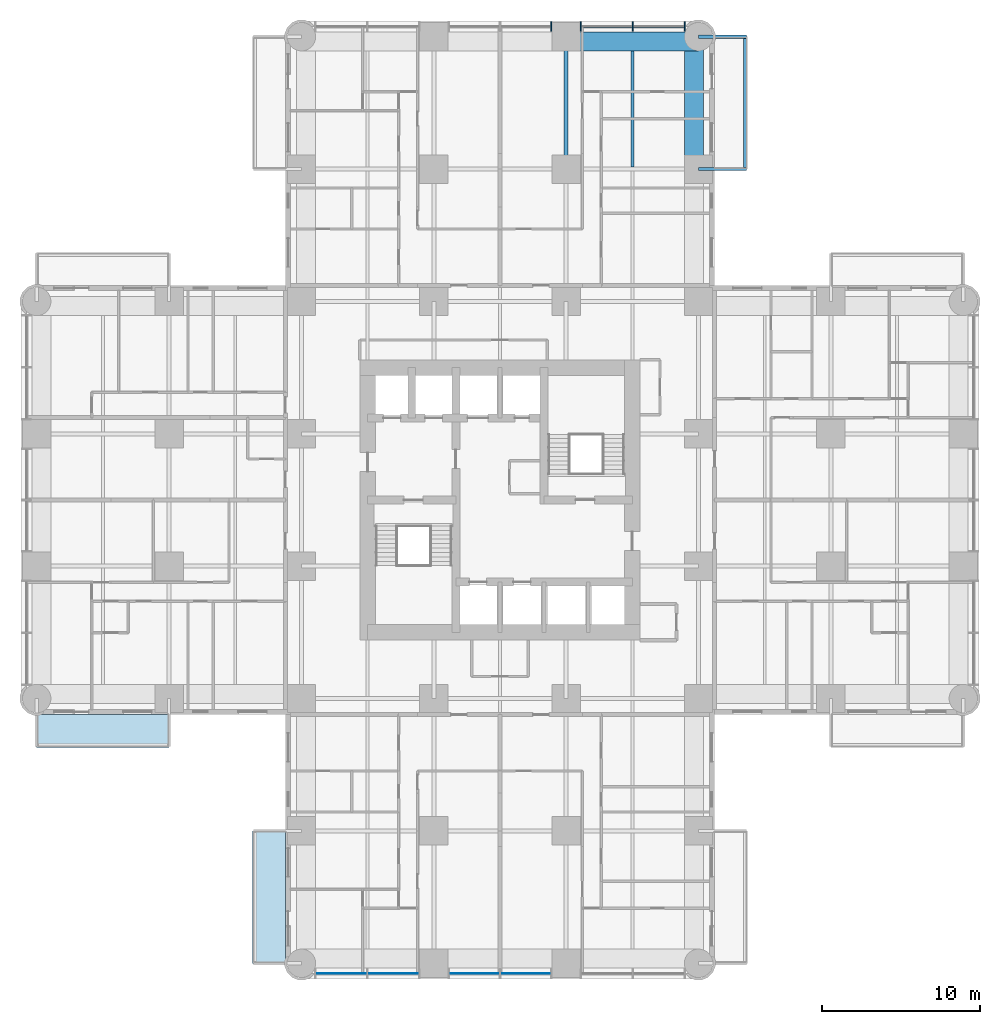
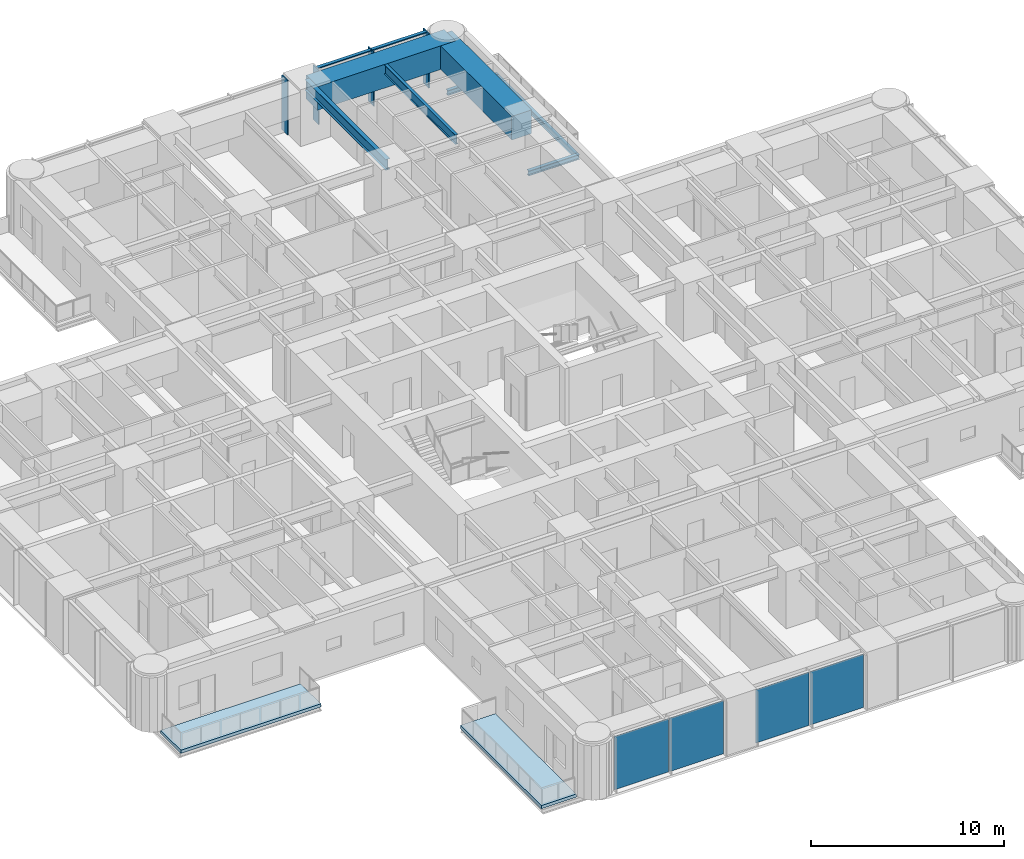
# One storey, part 5 of 17: 7 beams, 6 members, 4 plates, 2 slabs, 2 elements without a shape of their own.
"""IFC4 building model written with IfcOpenShell, lengths in metres."""

import ifcopenshell
import ifcopenshell.guid

model = None  # the IFC model being written
_history = None  # IfcOwnerHistory: only IFC2X3 demands one
_inside = {}  # id of a spatial element -> (the spatial element, [elements in it])
_under = {}  # id of a project, library or spatial element -> (it, [spatial elements below it])
_declared = {}  # id of a project -> (the project, [libraries it declares])
_typed = {}  # id of a type object -> (the type object, [elements of that type])
_made_of = {}  # id of a material, layer set ... -> (it, [elements and type objects made of it])


def new_model(schema):
    """Start an empty IFC model of exactly this schema.

    Asked for "IFC4X3", IfcOpenShell would pick the latest addendum, in which some entities
    have other attributes; the version numbers below select the first issue.
    IFC2X3 requires an IfcOwnerHistory on every rooted entity: one is made here for all.
    """
    global model, _history
    if schema == "IFC4X3":
        model = ifcopenshell.file(schema_version=(4, 3, 0, 0))
    else:
        model = ifcopenshell.file(schema=schema)
    _inside.clear()
    _under.clear()
    _declared.clear()
    _typed.clear()
    _made_of.clear()
    _history = None
    if model.schema == "IFC2X3":
        org = make("IfcOrganization", Name="unknown")
        user = make(
            "IfcPersonAndOrganization",
            ThePerson=make("IfcPerson", FamilyName="unknown"),
            TheOrganization=org,
        )
        app = make(
            "IfcApplication",
            ApplicationDeveloper=org,
            Version="unknown",
            ApplicationFullName="unknown",
            ApplicationIdentifier="unknown",
        )
        _history = make(
            "IfcOwnerHistory",
            OwningUser=user,
            OwningApplication=app,
            ChangeAction="ADDED",
            CreationDate=0,
        )
    return model


def make(cls, **values):
    """One entity of the class cls with the attributes given. An attribute that is None is left unset."""
    return model.create_entity(
        cls, **{name: value for name, value in values.items() if value is not None}
    )


def rooted(cls, **values):
    """An entity with a GlobalId (a new one), such as an element, a storey or a relation."""
    return make(cls, GlobalId=ifcopenshell.guid.new(), OwnerHistory=_history, **values)


def si_unit(unit_type, name, prefix=None):
    """IfcSIUnit, for example si_unit("LENGTHUNIT", "METRE", prefix="MILLI")."""
    return make("IfcSIUnit", UnitType=unit_type, Prefix=prefix, Name=name)


def assignment(units):
    """IfcUnitAssignment: the units of a project."""
    return None if units is None else make("IfcUnitAssignment", Units=units)


def point(xyz):
    """IfcCartesianPoint."""
    return None if xyz is None else make("IfcCartesianPoint", Coordinates=xyz)


def direction(xyz):
    """IfcDirection."""
    return None if xyz is None else make("IfcDirection", DirectionRatios=xyz)


def frame(location, z_axis=None, x_axis=None):
    """IfcAxis2Placement3D, a coordinate frame: its origin and axes. An axis left out is left unset."""
    return make(
        "IfcAxis2Placement3D",
        Location=point(location),
        Axis=direction(z_axis),
        RefDirection=direction(x_axis),
    )


def frame_2d(location, x_axis=None):
    """IfcAxis2Placement2D, a coordinate frame in the plane: its origin and x axis."""
    return make(
        "IfcAxis2Placement2D", Location=point(location), RefDirection=direction(x_axis)
    )


def origin():
    """The frame at (0, 0, 0) with its axes left unset."""
    return frame((0.0, 0.0, 0.0))


def origin_2d():
    """The frame at (0, 0) in the plane with its x axis left unset."""
    return frame_2d((0.0, 0.0))


def place(relative_to, where):
    """IfcLocalPlacement: puts the frame where relative to a parent placement (None: the world)."""
    return make(
        "IfcLocalPlacement", PlacementRelTo=relative_to, RelativePlacement=where
    )


def context(
    kind, dimensions, precision=None, world=None, true_north=None, identifier=None
):
    """IfcGeometricRepresentationContext, for example the 3D "Model" context."""
    return make(
        "IfcGeometricRepresentationContext",
        ContextIdentifier=identifier,
        ContextType=kind,
        CoordinateSpaceDimension=dimensions,
        Precision=precision,
        WorldCoordinateSystem=world,
        TrueNorth=true_north,
    )


def subcontext(parent, identifier, kind, view, scale=None):
    """IfcGeometricRepresentationSubContext, for example "Body" below "Model"."""
    return make(
        "IfcGeometricRepresentationSubContext",
        ContextIdentifier=identifier,
        ContextType=kind,
        ParentContext=parent,
        TargetScale=scale,
        TargetView=view,
    )


def project(units=None, contexts=None):
    """IfcProject with its units and contexts."""
    return rooted(
        "IfcProject",
        Name="project",
        RepresentationContexts=contexts,
        UnitsInContext=assignment(units),
    )


def spatial(cls, under=None, at=None, **own):
    """A site, building, storey or space (cls), placed at a placement, below another one or the project."""
    s = rooted(cls, ObjectPlacement=at, **own)
    if under is not None:
        _under.setdefault(under.id(), (under, []))[1].append(s)
    return s


def polyline(points):
    """IfcPolyline through the points."""
    return make("IfcPolyline", Points=[point(p) for p in points])


def profile(cls, at=None, kind="AREA", **sizes):
    """A parametric profile (cls). Its sizes go by their IFC names, for example OverallWidth=200.0."""
    return make(cls, ProfileType=kind, Position=at, **sizes)


def rectangle(**sizes):
    """IfcRectangleProfileDef."""
    return profile("IfcRectangleProfileDef", **sizes)


def i_section(**sizes):
    """IfcIShapeProfileDef."""
    return profile("IfcIShapeProfileDef", **sizes)


def outline(outer, holes=None, kind="AREA"):
    """IfcArbitraryClosedProfileDef: a profile drawn as a closed curve; with holes, ...WithVoids."""
    if holes is None:
        return make("IfcArbitraryClosedProfileDef", ProfileType=kind, OuterCurve=outer)
    return make(
        "IfcArbitraryProfileDefWithVoids",
        ProfileType=kind,
        OuterCurve=outer,
        InnerCurves=holes,
    )


def extrude(swept, where, along, depth):
    """IfcExtrudedAreaSolid: the profile swept, set in the frame where, extruded along a direction by depth."""
    return make(
        "IfcExtrudedAreaSolid",
        SweptArea=swept,
        Position=where,
        ExtrudedDirection=direction(along),
        Depth=depth,
    )


def shape(context_of_items, identifier, shape_type, items):
    """IfcShapeRepresentation: the items that make up one representation, for example the "Body"."""
    return make(
        "IfcShapeRepresentation",
        ContextOfItems=context_of_items,
        RepresentationIdentifier=identifier,
        RepresentationType=shape_type,
        Items=items,
    )


def material(Name=None, Category=None):
    """IfcMaterial."""
    return make("IfcMaterial", Name=Name, Category=Category)


def layer(
    of_material, thickness, ventilated=None, Name=None, Category=None, Priority=None
):
    """IfcMaterialLayer: one layer of a wall or slab, of a material (None: an air gap)."""
    return make(
        "IfcMaterialLayer",
        Material=of_material,
        LayerThickness=thickness,
        IsVentilated=ventilated,
        Name=Name,
        Category=Category,
        Priority=Priority,
    )


def layer_set(layers, Name=None):
    """IfcMaterialLayerSet."""
    return make("IfcMaterialLayerSet", MaterialLayers=layers, LayerSetName=Name)


def material_profile(
    of_material, cross_section, Name=None, Category=None, Priority=None
):
    """IfcMaterialProfile: a cross section and its material."""
    return make(
        "IfcMaterialProfile",
        Name=Name,
        Material=of_material,
        Profile=cross_section,
        Priority=Priority,
        Category=Category,
    )


def profile_set(profiles, Name=None, composite=None):
    """IfcMaterialProfileSet."""
    return make(
        "IfcMaterialProfileSet",
        Name=Name,
        MaterialProfiles=profiles,
        CompositeProfile=composite,
    )


def made_of(thing, what):
    """Note that an element or type object is made of a material, layer set ...; save() writes the relation."""
    if what is not None:
        _made_of.setdefault(what.id(), (what, []))[1].append(thing)
    return thing


def type_object(cls, material=None, **own):
    """A type object (cls), such as IfcWallType, which elements share."""
    return made_of(rooted(cls, **own), material)


def element(
    cls,
    number,
    at=None,
    inside=None,
    cuts=None,
    type_object=None,
    material=None,
    context=None,
    identifier="Body",
    shape_type=None,
    held_by="IfcProductDefinitionShape",
    body=None,
    shapes=None,
    **own,
):
    """One element of the class cls, such as IfcWall. Its Tag is "e" and its number.

    at: its placement. inside: the storey or other place that contains it. cuts: it is an
    opening in that element (IfcRelVoidsElement). A single representation is given by context,
    identifier, shape_type and body (its items); several are given by shapes. held_by: the class
    of the entity that holds the representations. save() writes the other relations.
    """
    e = rooted(cls, Tag="e%d" % number, ObjectPlacement=at, **own)
    if body is not None:
        shapes = [shape(context, identifier, shape_type, body)]
    if shapes is not None:
        e.Representation = make(held_by, Representations=shapes)
    if inside is not None:
        _inside.setdefault(inside.id(), (inside, []))[1].append(e)
    if cuts is not None:
        rooted(
            "IfcRelVoidsElement", RelatingBuildingElement=cuts, RelatedOpeningElement=e
        )
    if type_object is not None:
        _typed.setdefault(type_object.id(), (type_object, []))[1].append(e)
    return made_of(e, material)


def aggregate(whole, parts):
    """IfcRelAggregates: a whole, such as a stair, and the parts it consists of."""
    return rooted("IfcRelAggregates", RelatingObject=whole, RelatedObjects=parts)


def save(model, path):
    """Write the relations noted so far, then the file.

    IfcRelAggregates (storeys below a building ...), IfcRelContainedInSpatialStructure (elements
    in a storey), IfcRelDefinesByType, IfcRelAssociatesMaterial and IfcRelDeclares: one each for
    every whole, place, type object, material and project.
    """
    for whole, parts in _under.values():
        aggregate(whole, parts)
    for where, things in _inside.values():
        rooted(
            "IfcRelContainedInSpatialStructure",
            RelatedElements=things,
            RelatingStructure=where,
        )
    for kind, things in _typed.values():
        rooted("IfcRelDefinesByType", RelatedObjects=things, RelatingType=kind)
    for what, things in _made_of.values():
        rooted("IfcRelAssociatesMaterial", RelatedObjects=things, RelatingMaterial=what)
    for by, libraries in _declared.values():
        rooted("IfcRelDeclares", RelatingContext=by, RelatedDefinitions=libraries)
    model.write(path)


model = new_model("IFC4")

# Units and contexts
model_context = context("Model", 3, precision=1e-05, world=origin(), true_north=direction((0.0, 1.0)))
body_context = subcontext(model_context, "Body", "Model", "MODEL_VIEW")
ifc_project = project(units=[si_unit("LENGTHUNIT", "METRE"), si_unit("AREAUNIT", "SQUARE_METRE"), si_unit("VOLUMEUNIT", "CUBIC_METRE"), si_unit("PLANEANGLEUNIT", "RADIAN"), si_unit("MASSUNIT", "GRAM", prefix="KILO")], contexts=[model_context])

# Site, building, storey
site_placement = place(None, origin())
site = spatial("IfcSite", under=ifc_project, at=site_placement, CompositionType="ELEMENT")
building_placement = place(site_placement, origin())
building = spatial("IfcBuilding", under=site, at=building_placement, Name="Torre Alcanfor", CompositionType="ELEMENT")
storey_placement = place(building_placement, frame((0.0, 0.0, 48.89990234375)))
storey = spatial("IfcBuildingStorey", under=building, at=storey_placement, Name="L11", CompositionType="ELEMENT", Elevation=48.89990234375)

# Beams
ifc_material_1 = material(Name="Steel ASTM A992 Grade 50", Category="steel")
ifc_material_profile_1 = material_profile(ifc_material_1, i_section(OverallWidth=0.205322265625, OverallDepth=0.309814453125, WebThickness=0.00927734375, FlangeThickness=0.016357421875, at=origin_2d()), Name="W12x50")
ifc_profile_set_1 = profile_set([ifc_material_profile_1], Name="Steel ASTM A992 Grade 50")
beam_type_1 = type_object("IfcBeamType", Name="Balcony cantilever beam W12x50", PredefinedType="BEAM", material=ifc_profile_set_1)
for number, where, z_axis, x_axis, name in (
    (1, (42.0, 50.39990234375, -0.354736328125), (1.0, 0.0, 0.0), (0.0, 1.0, 0.0), "Balcony cantilever beam L11-N2 1"),
    (2, (42.0, 58.800048828125, -0.354736328125), (1.0, 0.0, 0.0), (0.0, 1.0, 0.0), "Balcony cantilever beam L11-N2 2"),
):
    element("IfcBeam", number, at=place(storey_placement, frame(where, z_axis=z_axis, x_axis=x_axis)), inside=storey, type_object=beam_type_1, Name=name, PredefinedType="BEAM", context=body_context, shape_type="SweptSolid", body=[
        extrude(i_section(OverallWidth=0.205322265625, OverallDepth=0.309814453125, WebThickness=0.00927734375, FlangeThickness=0.016357421875, at=origin_2d()), origin(), (0.0, 0.0, 1.0), 3.050048828125),
    ])
ifc_material_2 = material(Name="Steel ASTM A992 Grade 50", Category="steel")
ifc_material_profile_2 = material_profile(ifc_material_2, i_section(OverallWidth=0.203369140625, OverallDepth=0.30224609375, WebThickness=0.007568359375, FlangeThickness=0.01318359375, at=origin_2d()), Name="W12x40")
ifc_profile_set_2 = profile_set([ifc_material_profile_2], Name="Steel ASTM A992 Grade 50")
beam_type_2 = type_object("IfcBeamType", Name="Balcony edge trimmer W12x40", PredefinedType="BEAM", material=ifc_profile_set_2)
beam_1_placement = place(storey_placement, frame((44.9482421875, 50.39990234375, -0.35107421875), z_axis=(0.0, 1.0, 0.0), x_axis=(-1.0, 0.0, 0.0)))
element("IfcBeam", 3, at=beam_1_placement, inside=storey, type_object=beam_type_2, Name="Balcony edge trimmer L11-N2", PredefinedType="BEAM", context=body_context, shape_type="SweptSolid", body=[
    extrude(i_section(OverallWidth=0.203369140625, OverallDepth=0.30224609375, WebThickness=0.007568359375, FlangeThickness=0.01318359375, at=origin_2d()), origin(), (0.0, 0.0, 1.0), 8.400146484375),
])

# Curtain wall, members
ifc_material_3 = material(Name="Aluminium and glass", Category="aluminium")
curtain_wall_type = type_object("IfcCurtainWallType", Name="CW-A unitised apartment glazing with vertical FIN", PredefinedType="NOTDEFINED", material=ifc_material_3)
curtain_wall_1_placement = place(storey_placement, origin())
curtain_wall_1 = element("IfcCurtainWall", 4, at=curtain_wall_1_placement, inside=storey, type_object=curtain_wall_type, Name="Curtain wall CW-A L11 11", PredefinedType="NOTDEFINED")
ifc_material_4 = material(Name="Bronze anodised aluminium", Category="aluminium")
ifc_material_profile_3 = material_profile(ifc_material_4, rectangle(XDim=0.60009765625, YDim=0.06494140625, at=origin_2d()), Name="CW-A mullion 65x600")
ifc_profile_set_3 = profile_set([ifc_material_profile_3], Name="Bronze anodised aluminium")
member_type_1 = type_object("IfcMemberType", Name="CW-A mullion with vertical FIN 65x600", PredefinedType="MULLION", material=ifc_profile_set_3)
member_1_placement = place(storey_placement, frame((41.133056640625, 59.449951171875, 0.0), z_axis=(0.0, 0.0, 1.0), x_axis=(0.0, -1.0, 0.0)))
member_1 = element("IfcMember", 5, at=member_1_placement, type_object=member_type_1, Name="CW-A mullion 1.1", PredefinedType="MULLION", context=body_context, shape_type="SweptSolid", body=[
    extrude(rectangle(XDim=0.60009765625, YDim=0.06494140625, at=origin_2d()), origin(), (0.0, 0.0, 1.0), 3.4501953125),
])
member_2_placement = place(storey_placement, frame((37.835205078125, 59.449951171875, 0.0), z_axis=(0.0, 0.0, 1.0), x_axis=(0.0, -1.0, 0.0)))
member_2 = element("IfcMember", 6, at=member_2_placement, type_object=member_type_1, Name="CW-A mullion 1.2", PredefinedType="MULLION", context=body_context, shape_type="SweptSolid", body=[
    extrude(rectangle(XDim=0.60009765625, YDim=0.06494140625, at=origin_2d()), origin(), (0.0, 0.0, 1.0), 3.4501953125),
])
member_3_placement = place(storey_placement, frame((34.53759765625, 59.449951171875, 0.0), z_axis=(0.0, 0.0, 1.0), x_axis=(0.0, -1.0, 0.0)))
member_3 = element("IfcMember", 7, at=member_3_placement, type_object=member_type_1, Name="CW-A mullion 1.3", PredefinedType="MULLION", context=body_context, shape_type="SweptSolid", body=[
    extrude(rectangle(XDim=0.60009765625, YDim=0.06494140625, at=origin_2d()), origin(), (0.0, 0.0, 1.0), 3.4501953125),
])
member_4_placement = place(storey_placement, frame((32.66259765625, 59.449951171875, 0.0), z_axis=(0.0, 0.0, 1.0), x_axis=(0.0, -1.0, 0.0)))
member_4 = element("IfcMember", 8, at=member_4_placement, type_object=member_type_1, Name="CW-A mullion 2.1", PredefinedType="MULLION", context=body_context, shape_type="SweptSolid", body=[
    extrude(rectangle(XDim=0.60009765625, YDim=0.06494140625, at=origin_2d()), origin(), (0.0, 0.0, 1.0), 3.4501953125),
])
ifc_material_5 = material(Name="Extruded aluminium", Category="aluminium")
ifc_material_profile_4 = material_profile(ifc_material_5, rectangle(XDim=0.199951171875, YDim=0.06494140625, at=origin_2d()), Name="CW-A transom 200x65")
ifc_profile_set_4 = profile_set([ifc_material_profile_4], Name="Extruded aluminium")
member_type_2 = type_object("IfcMemberType", Name="CW-A transom 65x200", PredefinedType="USERDEFINED", material=ifc_profile_set_4)
member_5_placement = place(storey_placement, frame((41.1005859375, 59.449951171875, 3.41748046875), z_axis=(-1.0, 0.0, 0.0), x_axis=(0.0, -1.0, 0.0)))
member_5 = element("IfcMember", 9, at=member_5_placement, type_object=member_type_2, Name="CW-A transom 1.1.2", ObjectType="TRANSOM", PredefinedType="USERDEFINED", context=body_context, shape_type="SweptSolid", body=[
    extrude(rectangle(XDim=0.199951171875, YDim=0.06494140625, at=origin_2d()), origin(), (0.0, 0.0, 1.0), 3.23291015625),
])
member_6_placement = place(storey_placement, frame((37.802734375, 59.449951171875, 3.41748046875), z_axis=(-1.0, 0.0, 0.0), x_axis=(0.0, -1.0, 0.0)))
member_6 = element("IfcMember", 10, at=member_6_placement, type_object=member_type_2, Name="CW-A transom 1.2.2", ObjectType="TRANSOM", PredefinedType="USERDEFINED", context=body_context, shape_type="SweptSolid", body=[
    extrude(rectangle(XDim=0.199951171875, YDim=0.06494140625, at=origin_2d()), origin(), (0.0, 0.0, 1.0), 3.232666015625),
])
aggregate(curtain_wall_1, [member_1, member_2, member_3, member_5, member_6, member_4])

# Beams
ifc_material_6 = material(Name="Steel ASTM A992 Grade 50", Category="steel")
ifc_material_profile_5 = material_profile(ifc_material_6, i_section(OverallWidth=0.25390625, OverallDepth=0.683349609375, WebThickness=0.012451171875, FlangeThickness=0.01904296875, at=origin_2d()), Name="W27x94")
ifc_profile_set_5 = profile_set([ifc_material_profile_5], Name="Steel ASTM A992 Grade 50")
beam_type_3 = type_object("IfcBeamType", Name="Girder W27x94", PredefinedType="BEAM", material=ifc_profile_set_5)
beam_2_placement = place(storey_placement, frame((33.60009765625, 50.39990234375, 3.1083984375), z_axis=(0.0, 1.0, 0.0), x_axis=(-1.0, 0.0, 0.0)))
element("IfcBeam", 11, at=beam_2_placement, inside=storey, type_object=beam_type_3, Name="Beam 5J-5K under L12", PredefinedType="BEAM", context=body_context, shape_type="SweptSolid", body=[
    extrude(i_section(OverallWidth=0.25390625, OverallDepth=0.683349609375, WebThickness=0.012451171875, FlangeThickness=0.01904296875, at=origin_2d()), origin(), (0.0, 0.0, 1.0), 8.400146484375),
])
ifc_material_7 = material(Name="Concrete f'c 70 MPa", Category="concrete")
ifc_material_profile_6 = material_profile(ifc_material_7, rectangle(XDim=1.199951171875, YDim=1.5, at=origin_2d()), Name="1200x1500")
ifc_profile_set_6 = profile_set([ifc_material_profile_6], Name="Concrete f'c 70 MPa")
beam_type_4 = type_object("IfcBeamType", Name="RC perimeter beam 1200x1500", PredefinedType="BEAM", material=ifc_profile_set_6)
for number, where, z_axis, x_axis, name in (
    (12, (33.72705078125, 58.5, 2.7001953125), (1.0, 0.0, 0.0), (0.0, 1.0, 0.0), "Beam 5K-6K under L12"),
    (13, (41.699951171875, 50.527099609375, 2.7001953125), (0.0, 1.0, 0.0), (-1.0, 0.0, 0.0), "Beam 6J-6K under L12"),
):
    element("IfcBeam", number, at=place(storey_placement, frame(where, z_axis=z_axis, x_axis=x_axis)), inside=storey, type_object=beam_type_4, Name=name, PredefinedType="BEAM", context=body_context, shape_type="SweptSolid", body=[
        extrude(rectangle(XDim=1.199951171875, YDim=1.5, at=origin_2d()), origin(), (0.0, 0.0, 1.0), 8.27294921875),
    ])
ifc_material_8 = material(Name="Steel ASTM A992 Grade 50", Category="steel")
ifc_material_profile_7 = material_profile(ifc_material_8, i_section(OverallWidth=0.1787109375, OverallDepth=0.60205078125, WebThickness=0.010986328125, FlangeThickness=0.014892578125, at=origin_2d()), Name="W24x62")
ifc_profile_set_7 = profile_set([ifc_material_profile_7], Name="Steel ASTM A992 Grade 50")
beam_type_5 = type_object("IfcBeamType", Name="Secondary beam W24x62", PredefinedType="BEAM", material=ifc_profile_set_7)
beam_3_placement = place(storey_placement, frame((37.800048828125, 50.527099609375, 3.149169921875), z_axis=(0.0, 1.0, 0.0), x_axis=(-1.0, 0.0, 0.0)))
element("IfcBeam", 14, at=beam_3_placement, inside=storey, type_object=beam_type_5, Name="Beam 37_8J-37_8K under L12", PredefinedType="BEAM", context=body_context, shape_type="SweptSolid", body=[
    extrude(i_section(OverallWidth=0.1787109375, OverallDepth=0.60205078125, WebThickness=0.010986328125, FlangeThickness=0.014892578125, at=origin_2d()), origin(), (0.0, 0.0, 1.0), 7.372802734375),
])

# Slabs
ifc_material_9 = material(Name="Concrete f'c 35 MPa", Category="concrete")
ifc_layer_1 = layer(ifc_material_9, 0.199951171875)
ifc_layer_set_1 = layer_set([ifc_layer_1], Name="Balcony slab 200")
slab_type = type_object("IfcSlabType", Name="Balcony slab 200", PredefinedType="FLOOR", material=ifc_layer_set_1)
slab_1_placement = place(storey_placement, frame((0.0, 0.0, -0.199951171875)))
element("IfcSlab", 15, at=slab_1_placement, inside=storey, type_object=slab_type, Name="Balcony L11-S2", PredefinedType="FLOOR", context=body_context, shape_type="SweptSolid", body=[
    extrude(outline(polyline([(13.699951171875, 8.39990234375), (13.699951171875, 0.0), (15.800048828125, 0.0), (15.800048828125, 8.39990234375), (13.699951171875, 8.39990234375)])), origin(), (0.0, 0.0, 1.0), 0.199951171875),
])
slab_2_placement = place(storey_placement, frame((0.0, 0.0, -0.199951171875)))
element("IfcSlab", 16, at=slab_2_placement, inside=storey, type_object=slab_type, Name="Balcony L11-W1", PredefinedType="FLOOR", context=body_context, shape_type="SweptSolid", body=[
    extrude(outline(polyline([(8.39990234375, 15.800048828125), (0.0, 15.800048828125), (0.0, 13.699951171875), (8.39990234375, 13.699951171875), (8.39990234375, 15.800048828125)])), origin(), (0.0, 0.0, 1.0), 0.199951171875),
])

# Curtain wall, plates
curtain_wall_2_placement = place(storey_placement, origin())
curtain_wall_2 = element("IfcCurtainWall", 17, at=curtain_wall_2_placement, inside=storey, type_object=curtain_wall_type, Name="Curtain wall CW-A L11 5", PredefinedType="NOTDEFINED")
ifc_material_10 = material(Name="Glass", Category="glass")
ifc_layer_2 = layer(ifc_material_10, 0.028076171875)
ifc_layer_set_2 = layer_set([ifc_layer_2], Name="CW-A clear double glazed unit")
plate_type = type_object("IfcPlateType", Name="CW-A clear double glazed unit", PredefinedType="CURTAIN_PANEL", material=ifc_layer_set_2)
plate_1_placement = place(storey_placement, frame((19.31591796875, -0.64990234375, 0.0), z_axis=(0.0, 0.0, 1.0), x_axis=(1.0, 0.0, 0.0)))
plate_1 = element("IfcPlate", 18, at=plate_1_placement, type_object=plate_type, Name="CW-A panel 1.1.1", PredefinedType="CURTAIN_PANEL", context=body_context, shape_type="SweptSolid", body=[
    extrude(rectangle(XDim=3.232666015625, YDim=0.028076171875, at=origin_2d()), origin(), (0.0, 0.0, 1.0), 3.385009765625),
])
plate_2_placement = place(storey_placement, frame((22.613525390625, -0.64990234375, 0.0), z_axis=(0.0, 0.0, 1.0), x_axis=(1.0, 0.0, 0.0)))
plate_2 = element("IfcPlate", 19, at=plate_2_placement, type_object=plate_type, Name="CW-A panel 1.2.1", PredefinedType="CURTAIN_PANEL", context=body_context, shape_type="SweptSolid", body=[
    extrude(rectangle(XDim=3.232666015625, YDim=0.028076171875, at=origin_2d()), origin(), (0.0, 0.0, 1.0), 3.385009765625),
])
plate_3_placement = place(storey_placement, frame((27.768798828125, -0.64990234375, 0.0), z_axis=(0.0, 0.0, 1.0), x_axis=(1.0, 0.0, 0.0)))
plate_3 = element("IfcPlate", 20, at=plate_3_placement, type_object=plate_type, Name="CW-A panel 2.1.1", PredefinedType="CURTAIN_PANEL", context=body_context, shape_type="SweptSolid", body=[
    extrude(rectangle(XDim=3.197509765625, YDim=0.028076171875, at=origin_2d()), origin(), (0.0, 0.0, 1.0), 3.385009765625),
])
plate_4_placement = place(storey_placement, frame((31.03125, -0.64990234375, 0.0), z_axis=(0.0, 0.0, 1.0), x_axis=(1.0, 0.0, 0.0)))
plate_4 = element("IfcPlate", 21, at=plate_4_placement, type_object=plate_type, Name="CW-A panel 2.2.1", PredefinedType="CURTAIN_PANEL", context=body_context, shape_type="SweptSolid", body=[
    extrude(rectangle(XDim=3.197509765625, YDim=0.028076171875, at=origin_2d()), origin(), (0.0, 0.0, 1.0), 3.385009765625),
])
aggregate(curtain_wall_2, [plate_1, plate_2, plate_3, plate_4])

save(model, "model.ifc")
